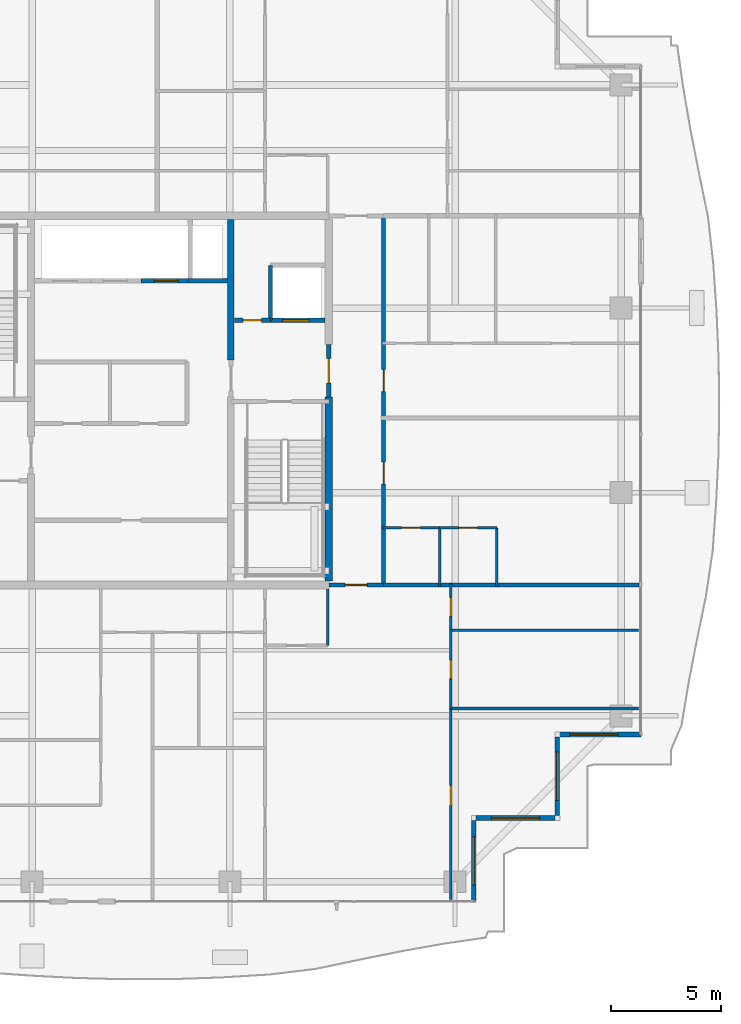
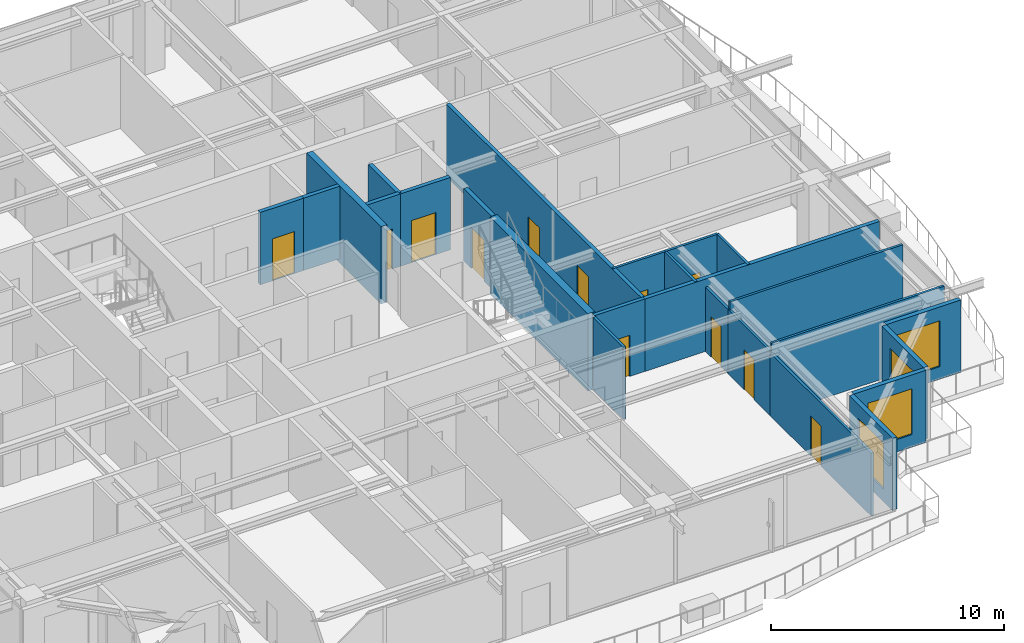
# One storey, part 33 of 42: 25 walls, 12 doors, 4 windows, 16 openings.
"""IFC4 building model written with IfcOpenShell, lengths in metres."""

from ifc_helpers import new_model, si_unit, direction, frame, frame_2d, origin, place, context, subcontext, project, spatial, rectangle, extrude, source, transform, mapped, material, layer, layer_set, type_object, element, fill, save


model = new_model("IFC4")

# Units and contexts
model_context = context("Model", 3, precision=1e-05, world=origin(), true_north=direction((0.0, 1.0)))
body_context = subcontext(model_context, "Body", "Model", "MODEL_VIEW")
ifc_project = project(units=[si_unit("LENGTHUNIT", "METRE"), si_unit("AREAUNIT", "SQUARE_METRE"), si_unit("VOLUMEUNIT", "CUBIC_METRE"), si_unit("PLANEANGLEUNIT", "RADIAN"), si_unit("MASSUNIT", "GRAM", prefix="KILO")], contexts=[model_context])

# Site, building, storey
site_placement = place(None, origin())
site = spatial("IfcSite", under=ifc_project, at=site_placement, CompositionType="ELEMENT")
building_placement = place(site_placement, origin())
building = spatial("IfcBuilding", under=site, at=building_placement, Name="Serunith Strait Residences", CompositionType="ELEMENT")
storey_placement = place(building_placement, frame((0.0, 0.0, 325.85009765625)))
storey = spatial("IfcBuildingStorey", under=building, at=storey_placement, Name="L81", CompositionType="ELEMENT", Elevation=325.85009765625)

# Wall, opening, window
ifc_material_1 = material(Name="Pale-Champagne Aluminium Insulated Panel", Category="aluminium")
ifc_layer_1 = layer(ifc_material_1, 0.219970703125, Name="Pale-Champagne Aluminium Insulated Panel")
ifc_layer_set_1 = layer_set([ifc_layer_1], Name="Pale-Champagne Aluminium Insulated Panel")
wall_type_1 = type_object("IfcWallType", Name="EW-ALUM-220", PredefinedType="ELEMENTEDWALL", material=ifc_layer_set_1)
wall_1_placement = place(storey_placement, frame((48.0, 2.39990234375, 0.0), z_axis=(0.0, 0.0, 1.0), x_axis=(0.0, 1.0, 0.0)))
wall_1 = element("IfcWall", 1, at=wall_1_placement, inside=storey, type_object=wall_type_1, Name="L81 Girih Serrated Corner Wall 02", PredefinedType="ELEMENTEDWALL", context=body_context, shape_type="SweptSolid", body=[
    extrude(rectangle(XDim=3.690185546875, YDim=0.219970703125, at=frame_2d((1.84521484375, 0.0))), origin(), (0.0, 0.0, 1.0), 3.77490234375),
])
opening_1_placement = place(wall_1_placement, frame((0.7451171875, 0.0, 0.64990234375)))
opening_1 = element("IfcOpeningElement", 2, at=opening_1_placement, cuts=wall_1, Name="Opening W-06", PredefinedType="OPENING", context=body_context, shape_type="SweptSolid", body=[
    extrude(rectangle(XDim=2.199951171875, YDim=2.39990234375, at=frame_2d((1.10009765625, 1.199951171875))), frame((0.0, 0.1201171875, 0.0), z_axis=(0.0, -1.0, 0.0), x_axis=(1.0, 0.0, 0.0)), (0.0, 0.0, 1.0), 0.239990234375),
])
ifc_material_2 = material(Name="Crown Penthouse Low-E Operable Window Glass", Category="glass")
window_type = type_object("IfcWindowType", Name="WIN-C6", PartitioningType="TRIPLE_PANEL_VERTICAL", PredefinedType="WINDOW", material=ifc_material_2)
shared_shape_1 = source(origin(), body_context, "Body", "SweptSolid", [
    extrude(rectangle(XDim=2.199951171875, YDim=2.39990234375, at=frame_2d((1.10009765625, 1.199951171875))), frame((0.0, 0.030029296875, 0.0), z_axis=(0.0, -1.0, 0.0), x_axis=(1.0, 0.0, 0.0)), (0.0, 0.0, 1.0), 0.06005859375),
])
window_1_placement = place(opening_1_placement, origin())
window_1 = element("IfcWindow", 3, at=window_1_placement, inside=storey, type_object=window_type, Name="L81 Corner Operable Fritted Window 02", OverallHeight=2.39990234375, OverallWidth=2.199951171875, PartitioningType="SINGLE_PANEL", PredefinedType="WINDOW", context=body_context, shape_type="MappedRepresentation", body=[
    mapped(shared_shape_1, transform((0.0, 0.0, 0.0), scale=1.0)),
])
fill(opening_1, window_1)

wall_2_placement = place(storey_placement, frame((48.110107421875, 6.199951171875, 0.0), z_axis=(0.0, 0.0, 1.0), x_axis=(1.0, 0.0, 0.0)))
wall_2 = element("IfcWall", 4, at=wall_2_placement, inside=storey, type_object=wall_type_1, Name="L81 Girih Serrated Corner Wall 03", PredefinedType="ELEMENTEDWALL", context=body_context, shape_type="SweptSolid", body=[
    extrude(rectangle(XDim=3.579833984375, YDim=0.219970703125, at=frame_2d((1.7900390625, 0.0))), origin(), (0.0, 0.0, 1.0), 3.77490234375),
])
opening_2_placement = place(wall_2_placement, frame((0.68994140625, 0.0, 0.64990234375)))
opening_2 = element("IfcOpeningElement", 5, at=opening_2_placement, cuts=wall_2, Name="Opening W-06", PredefinedType="OPENING", context=body_context, shape_type="SweptSolid", body=[
    extrude(rectangle(XDim=2.199951171875, YDim=2.39990234375, at=frame_2d((1.10009765625, 1.199951171875))), frame((0.0, 0.1201171875, 0.0), z_axis=(0.0, -1.0, 0.0), x_axis=(1.0, 0.0, 0.0)), (0.0, 0.0, 1.0), 0.239990234375),
])
window_2_placement = place(opening_2_placement, origin())
window_2 = element("IfcWindow", 6, at=window_2_placement, inside=storey, type_object=window_type, Name="L81 Corner Operable Fritted Window 03", OverallHeight=2.39990234375, OverallWidth=2.199951171875, PartitioningType="SINGLE_PANEL", PredefinedType="WINDOW", context=body_context, shape_type="MappedRepresentation", body=[
    mapped(shared_shape_1, transform((0.0, 0.0, 0.0), scale=1.0)),
])
fill(opening_2, window_2)

wall_3_placement = place(storey_placement, frame((51.800048828125, 6.31005859375, 0.0), z_axis=(0.0, 0.0, 1.0), x_axis=(0.0, 1.0, 0.0)))
wall_3 = element("IfcWall", 7, at=wall_3_placement, inside=storey, type_object=wall_type_1, Name="L81 Girih Serrated Corner Wall 04", PredefinedType="ELEMENTEDWALL", context=body_context, shape_type="SweptSolid", body=[
    extrude(rectangle(XDim=3.579833984375, YDim=0.219970703125, at=frame_2d((1.7900390625, 0.0))), origin(), (0.0, 0.0, 1.0), 3.77490234375),
])
opening_3_placement = place(wall_3_placement, frame((0.68994140625, 0.0, 0.64990234375)))
opening_3 = element("IfcOpeningElement", 8, at=opening_3_placement, cuts=wall_3, Name="Opening W-06", PredefinedType="OPENING", context=body_context, shape_type="SweptSolid", body=[
    extrude(rectangle(XDim=2.199951171875, YDim=2.39990234375, at=frame_2d((1.10009765625, 1.199951171875))), frame((0.0, 0.1201171875, 0.0), z_axis=(0.0, -1.0, 0.0), x_axis=(1.0, 0.0, 0.0)), (0.0, 0.0, 1.0), 0.239990234375),
])
window_3_placement = place(opening_3_placement, origin())
window_3 = element("IfcWindow", 9, at=window_3_placement, inside=storey, type_object=window_type, Name="L81 Corner Operable Fritted Window 04", OverallHeight=2.39990234375, OverallWidth=2.199951171875, PartitioningType="SINGLE_PANEL", PredefinedType="WINDOW", context=body_context, shape_type="MappedRepresentation", body=[
    mapped(shared_shape_1, transform((0.0, 0.0, 0.0), scale=1.0)),
])
fill(opening_3, window_3)

wall_4_placement = place(storey_placement, frame((51.909912109375, 10.0, 0.0), z_axis=(0.0, 0.0, 1.0), x_axis=(1.0, 0.0, 0.0)))
wall_4 = element("IfcWall", 10, at=wall_4_placement, inside=storey, type_object=wall_type_1, Name="L81 Girih Serrated Corner Wall 05", PredefinedType="ELEMENTEDWALL", context=body_context, shape_type="SweptSolid", body=[
    extrude(rectangle(XDim=3.690185546875, YDim=0.219970703125, at=frame_2d((1.84521484375, 0.0))), origin(), (0.0, 0.0, 1.0), 3.77490234375),
])
opening_4_placement = place(wall_4_placement, frame((0.447021484375, 0.0, 0.64990234375)))
opening_4 = element("IfcOpeningElement", 11, at=opening_4_placement, cuts=wall_4, Name="Opening W-06", PredefinedType="OPENING", context=body_context, shape_type="SweptSolid", body=[
    extrude(rectangle(XDim=2.199951171875, YDim=2.39990234375, at=frame_2d((1.10009765625, 1.199951171875))), frame((0.0, 0.1201171875, 0.0), z_axis=(0.0, -1.0, 0.0), x_axis=(1.0, 0.0, 0.0)), (0.0, 0.0, 1.0), 0.239990234375),
])
window_4_placement = place(opening_4_placement, origin())
window_4 = element("IfcWindow", 12, at=window_4_placement, inside=storey, type_object=window_type, Name="L81 Corner Operable Fritted Window 05", OverallHeight=2.39990234375, OverallWidth=2.199951171875, PartitioningType="SINGLE_PANEL", PredefinedType="WINDOW", context=body_context, shape_type="MappedRepresentation", body=[
    mapped(shared_shape_1, transform((0.0, 0.0, 0.0), scale=1.0)),
])
fill(opening_4, window_4)

# Wall, opening, door
ifc_material_3 = material(Name="Fire-rated acoustic gypsum partition")
ifc_layer_2 = layer(ifc_material_3, 0.179931640625, Name="Fire-rated acoustic gypsum partition")
ifc_layer_set_2 = layer_set([ifc_layer_2], Name="Fire-rated acoustic gypsum partition")
wall_type_2 = type_object("IfcWallType", Name="IW-CORR-180", PredefinedType="PARTITIONING", material=ifc_layer_set_2)
wall_5_placement = place(storey_placement, frame((41.402099609375, 16.800048828125, 0.0), z_axis=(0.0, 0.0, 1.0), x_axis=(1.0, 0.0, 0.0)))
wall_5 = element("IfcWall", 13, at=wall_5_placement, inside=storey, type_object=wall_type_2, Name="L81 Partition Wall 029", PredefinedType="PARTITIONING", context=body_context, shape_type="SweptSolid", body=[
    extrude(rectangle(XDim=2.495849609375, YDim=0.179931640625, at=frame_2d((1.248046875, 0.0))), origin(), (0.0, 0.0, 1.0), 3.789794921875),
])
opening_5_placement = place(wall_5_placement, frame((0.748046875, 0.0, 0.0)))
opening_5 = element("IfcOpeningElement", 14, at=opening_5_placement, cuts=wall_5, Name="Opening D-APT1000", PredefinedType="OPENING", context=body_context, shape_type="SweptSolid", body=[
    extrude(rectangle(XDim=1.0, YDim=2.14990234375, at=frame_2d((0.5, 1.074951171875))), frame((0.0, 0.10009765625, 0.0), z_axis=(0.0, -1.0, 0.0), x_axis=(1.0, 0.0, 0.0)), (0.0, 0.0, 1.0), 0.199951171875),
])
ifc_material_4 = material(Name="Solid timber engineered fire door", Category="wood")
door_type_1 = type_object("IfcDoorType", Name="ID-APT-1000", OperationType="NOTDEFINED", PredefinedType="DOOR", material=ifc_material_4)
shared_shape_2 = source(origin(), body_context, "Body", "SweptSolid", [
    extrude(rectangle(XDim=1.0, YDim=2.14990234375, at=frame_2d((0.5, 1.074951171875))), frame((0.0, 0.02490234375, 0.0), z_axis=(0.0, -1.0, 0.0), x_axis=(1.0, 0.0, 0.0)), (0.0, 0.0, 1.0), 0.050048828125),
])
door_1_placement = place(opening_5_placement, origin())
door_1 = element("IfcDoor", 15, at=door_1_placement, inside=storey, type_object=door_type_1, Name="L81 Unit 02 Entrance Door", OperationType="SINGLE_SWING_LEFT", OverallHeight=2.14990234375, OverallWidth=1.0, PredefinedType="DOOR", context=body_context, shape_type="MappedRepresentation", body=[
    mapped(shared_shape_2, transform((0.0, 0.0, 0.0), scale=1.0)),
])
fill(opening_5, door_1)

# Wall, openings, doors
wall_6_placement = place(storey_placement, frame((43.89990234375, 16.800048828125, 0.0), z_axis=(0.0, 0.0, 1.0), x_axis=(0.0, 1.0, 0.0)))
wall_6 = element("IfcWall", 16, at=wall_6_placement, inside=storey, type_object=wall_type_2, Name="L81 Partition Wall 031", PredefinedType="PARTITIONING", context=body_context, shape_type="SweptSolid", body=[
    extrude(rectangle(XDim=16.800048828125, YDim=0.179931640625, at=frame_2d((8.39990234375, 0.0))), origin(), (0.0, 0.0, 1.0), 3.789794921875),
])
opening_6_placement = place(wall_6_placement, frame((4.597900390625, 0.0, 0.0)))
opening_6 = element("IfcOpeningElement", 17, at=opening_6_placement, cuts=wall_6, Name="Opening D-APT1000", PredefinedType="OPENING", context=body_context, shape_type="SweptSolid", body=[
    extrude(rectangle(XDim=1.0, YDim=2.14990234375, at=frame_2d((0.5, 1.074951171875))), frame((0.0, 0.10009765625, 0.0), z_axis=(0.0, -1.0, 0.0), x_axis=(1.0, 0.0, 0.0)), (0.0, 0.0, 1.0), 0.199951171875),
])
opening_7_placement = place(wall_6_placement, frame((8.801025390625, 0.0, 0.0)))
opening_7 = element("IfcOpeningElement", 18, at=opening_7_placement, cuts=wall_6, Name="Opening D-APT1000", PredefinedType="OPENING", context=body_context, shape_type="SweptSolid", body=[
    extrude(rectangle(XDim=1.0, YDim=2.14990234375, at=frame_2d((0.5, 1.074951171875))), frame((0.0, 0.10009765625, 0.0), z_axis=(0.0, -1.0, 0.0), x_axis=(1.0, 0.0, 0.0)), (0.0, 0.0, 1.0), 0.199951171875),
])
door_2_placement = place(opening_6_placement, origin())
door_2 = element("IfcDoor", 19, at=door_2_placement, inside=storey, type_object=door_type_1, Name="L81 Unit 07 Entrance Door", OperationType="SINGLE_SWING_LEFT", OverallHeight=2.14990234375, OverallWidth=1.0, PredefinedType="DOOR", context=body_context, shape_type="MappedRepresentation", body=[
    mapped(shared_shape_2, transform((0.0, 0.0, 0.0), scale=1.0)),
])
fill(opening_6, door_2)
door_3_placement = place(opening_7_placement, origin())
door_3 = element("IfcDoor", 20, at=door_3_placement, inside=storey, type_object=door_type_1, Name="L81 Unit 08 Entrance Door", OperationType="SINGLE_SWING_RIGHT", OverallHeight=2.14990234375, OverallWidth=1.0, PredefinedType="DOOR", context=body_context, shape_type="MappedRepresentation", body=[
    mapped(shared_shape_2, transform((0.0, 0.0, 0.0), scale=1.0)),
])
fill(opening_7, door_3)

# Wall
ifc_material_5 = material(Name="Lightweight steel-stud gypsum partition", Category="steel")
ifc_layer_3 = layer(ifc_material_5, 0.1201171875, Name="Lightweight steel-stud gypsum partition")
ifc_layer_set_3 = layer_set([ifc_layer_3], Name="Lightweight steel-stud gypsum partition")
wall_type_3 = type_object("IfcWallType", Name="IW-PART-120", PredefinedType="PARTITIONING", material=ifc_layer_set_3)
wall_7_placement = place(storey_placement, frame((41.35009765625, 14.050048828125, 0.0), z_axis=(0.0, 0.0, 1.0), x_axis=(0.0, 1.0, 0.0)))
element("IfcWall", 21, at=wall_7_placement, inside=storey, type_object=wall_type_3, Name="L81 Partition Wall 041", PredefinedType="PARTITIONING", context=body_context, shape_type="SweptSolid", body=[
    extrude(rectangle(XDim=2.574951171875, YDim=0.1201171875, at=frame_2d((1.28759765625, 0.0))), origin(), (0.0, 0.0, 1.0), 3.789794921875),
])

# Wall, opening, door
wall_8_placement = place(storey_placement, frame((46.949951171875, 2.4951171875, 0.0), z_axis=(0.0, 0.0, 1.0), x_axis=(0.0, 1.0, 0.0)))
wall_8 = element("IfcWall", 22, at=wall_8_placement, inside=storey, type_object=wall_type_3, Name="L81 Partition Wall 056", PredefinedType="PARTITIONING", context=body_context, shape_type="SweptSolid", body=[
    extrude(rectangle(XDim=8.68798828125, YDim=0.1201171875, at=frame_2d((4.343994140625, 0.0))), origin(), (0.0, 0.0, 1.0), 3.2919921875),
])
opening_8_placement = place(wall_8_placement, frame((4.282958984375, 0.0, 0.0)))
opening_8 = element("IfcOpeningElement", 23, at=opening_8_placement, cuts=wall_8, Name="Opening D-RM900", PredefinedType="OPENING", context=body_context, shape_type="SweptSolid", body=[
    extrude(rectangle(XDim=0.89990234375, YDim=2.10009765625, at=frame_2d((0.449951171875, 1.050048828125))), frame((0.0, 0.070068359375, 0.0), z_axis=(0.0, -1.0, 0.0), x_axis=(1.0, 0.0, 0.0)), (0.0, 0.0, 1.0), 0.14013671875),
])
ifc_material_6 = material(Name="Engineered timber flush bedroom door", Category="wood")
door_type_2 = type_object("IfcDoorType", Name="ID-ROOM-900", OperationType="NOTDEFINED", PredefinedType="DOOR", material=ifc_material_6)
shared_shape_3 = source(origin(), body_context, "Body", "SweptSolid", [
    extrude(rectangle(XDim=0.89990234375, YDim=2.10009765625, at=frame_2d((0.449951171875, 1.050048828125))), frame((0.0, 0.02490234375, 0.0), z_axis=(0.0, -1.0, 0.0), x_axis=(1.0, 0.0, 0.0)), (0.0, 0.0, 1.0), 0.050048828125),
])
door_4_placement = place(opening_8_placement, origin())
door_4 = element("IfcDoor", 24, at=door_4_placement, inside=storey, type_object=door_type_2, Name="L81 Bedroom 3 8102 Door", OperationType="SINGLE_SWING_LEFT", OverallHeight=2.10009765625, OverallWidth=0.89990234375, PredefinedType="DOOR", context=body_context, shape_type="MappedRepresentation", body=[
    mapped(shared_shape_3, transform((0.0, 0.0, 0.0), scale=1.0)),
])
fill(opening_8, door_4)

# Walls
for number, where, z_axis, x_axis, name in (
    (25, (46.949951171875, 11.18310546875, 0.0), (0.0, 0.0, 1.0), (1.0, 0.0, 0.0), "L81 Partition Wall 057"),
    (26, (46.949951171875, 14.75, 0.0), (0.0, 0.0, 1.0), (1.0, 0.0, 0.0), "L81 Partition Wall 058"),
):
    element("IfcWall", number, at=place(storey_placement, frame(where, z_axis=z_axis, x_axis=x_axis)), inside=storey, type_object=wall_type_3, Name=name, PredefinedType="PARTITIONING", context=body_context, shape_type="SweptSolid", body=[
        extrude(rectangle(XDim=8.554931640625, YDim=0.1201171875, at=frame_2d((4.27734375, 0.0))), origin(), (0.0, 0.0, 1.0), 3.789794921875),
    ])

# Wall, opening, door
wall_9_placement = place(storey_placement, frame((46.949951171875, 11.18505859375, 0.0), z_axis=(0.0, 0.0, 1.0), x_axis=(0.0, 1.0, 0.0)))
wall_9 = element("IfcWall", 27, at=wall_9_placement, inside=storey, type_object=wall_type_3, Name="L81 Partition Wall 059", PredefinedType="PARTITIONING", context=body_context, shape_type="SweptSolid", body=[
    extrude(rectangle(XDim=3.56494140625, YDim=0.1201171875, at=frame_2d((1.782470703125, 0.0))), origin(), (0.0, 0.0, 1.0), 3.371826171875),
])
opening_9_placement = place(wall_9_placement, frame((1.35693359375, 0.0, 0.0)))
opening_9 = element("IfcOpeningElement", 28, at=opening_9_placement, cuts=wall_9, Name="Opening D-RM850", PredefinedType="OPENING", context=body_context, shape_type="SweptSolid", body=[
    extrude(rectangle(XDim=0.85009765625, YDim=2.10009765625, at=frame_2d((0.425048828125, 1.050048828125))), frame((0.0, 0.070068359375, 0.0), z_axis=(0.0, -1.0, 0.0), x_axis=(1.0, 0.0, 0.0)), (0.0, 0.0, 1.0), 0.14013671875),
])
ifc_material_7 = material(Name="Engineered timber flush study and kitchen door", Category="wood")
door_type_3 = type_object("IfcDoorType", Name="ID-ROOM-850", OperationType="NOTDEFINED", PredefinedType="DOOR", material=ifc_material_7)
shared_shape_4 = source(origin(), body_context, "Body", "SweptSolid", [
    extrude(rectangle(XDim=0.85009765625, YDim=2.10009765625, at=frame_2d((0.425048828125, 1.050048828125))), frame((0.0, 0.02490234375, 0.0), z_axis=(0.0, -1.0, 0.0), x_axis=(1.0, 0.0, 0.0)), (0.0, 0.0, 1.0), 0.050048828125),
])
door_5_placement = place(opening_9_placement, origin())
door_5 = element("IfcDoor", 29, at=door_5_placement, inside=storey, type_object=door_type_3, Name="L81 Walk-in Wardrobe 8102 Door", OperationType="SINGLE_SWING_RIGHT", OverallHeight=2.10009765625, OverallWidth=0.85009765625, PredefinedType="DOOR", context=body_context, shape_type="MappedRepresentation", body=[
    mapped(shared_shape_4, transform((0.0, 0.0, 0.0), scale=1.0)),
])
fill(opening_9, door_5)

wall_10_placement = place(storey_placement, frame((46.949951171875, 14.751953125, 0.0), z_axis=(0.0, 0.0, 1.0), x_axis=(0.0, 1.0, 0.0)))
wall_10 = element("IfcWall", 30, at=wall_10_placement, inside=storey, type_object=wall_type_3, Name="L81 Partition Wall 060", PredefinedType="PARTITIONING", context=body_context, shape_type="SweptSolid", body=[
    extrude(rectangle(XDim=2.108154296875, YDim=0.1201171875, at=frame_2d((1.05419921875, 0.0))), origin(), (0.0, 0.0, 1.0), 3.371826171875),
])
opening_10_placement = place(wall_10_placement, frame((0.62890625, 0.0, 0.0)))
opening_10 = element("IfcOpeningElement", 31, at=opening_10_placement, cuts=wall_10, Name="Opening D-BTH850", PredefinedType="OPENING", context=body_context, shape_type="SweptSolid", body=[
    extrude(rectangle(XDim=0.85009765625, YDim=2.10009765625, at=frame_2d((0.425048828125, 1.050048828125))), frame((0.0, 0.070068359375, 0.0), z_axis=(0.0, -1.0, 0.0), x_axis=(1.0, 0.0, 0.0)), (0.0, 0.0, 1.0), 0.14013671875),
])
ifc_material_8 = material(Name="Moisture-resistant timber bathroom door", Category="wood")
door_type_4 = type_object("IfcDoorType", Name="ID-BATH-850", OperationType="NOTDEFINED", PredefinedType="DOOR", material=ifc_material_8)
door_6_placement = place(opening_10_placement, origin())
door_6 = element("IfcDoor", 32, at=door_6_placement, inside=storey, type_object=door_type_4, Name="L81 Bathroom 8102 Door", OperationType="SINGLE_SWING_LEFT", OverallHeight=2.10009765625, OverallWidth=0.85009765625, PredefinedType="DOOR", context=body_context, shape_type="MappedRepresentation", body=[
    mapped(shared_shape_4, transform((0.0, 0.0, 0.0), scale=1.0)),
])
fill(opening_10, door_6)

wall_11_placement = place(storey_placement, frame((49.050048828125, 19.39990234375, 0.0), z_axis=(0.0, 0.0, 1.0), x_axis=(-1.0, 0.0, 0.0)))
wall_11 = element("IfcWall", 33, at=wall_11_placement, inside=storey, type_object=wall_type_3, Name="L81 Partition Wall 093", PredefinedType="PARTITIONING", context=body_context, shape_type="SweptSolid", body=[
    extrude(rectangle(XDim=2.60009765625, YDim=0.1201171875, at=frame_2d((1.300048828125, 0.0))), origin(), (0.0, 0.0, 1.0), 3.789794921875),
])
opening_11_placement = place(wall_11_placement, frame((0.875, 0.0, 0.0)))
opening_11 = element("IfcOpeningElement", 34, at=opening_11_placement, cuts=wall_11, Name="Opening D-RM850", PredefinedType="OPENING", context=body_context, shape_type="SweptSolid", body=[
    extrude(rectangle(XDim=0.85009765625, YDim=2.10009765625, at=frame_2d((0.425048828125, 1.050048828125))), frame((0.0, 0.070068359375, 0.0), z_axis=(0.0, -1.0, 0.0), x_axis=(1.0, 0.0, 0.0)), (0.0, 0.0, 1.0), 0.14013671875),
])
door_7_placement = place(opening_11_placement, origin())
door_7 = element("IfcDoor", 35, at=door_7_placement, inside=storey, type_object=door_type_3, Name="L81 Kitchen 8107 Door", OperationType="SINGLE_SWING_RIGHT", OverallHeight=2.10009765625, OverallWidth=0.85009765625, PredefinedType="DOOR", context=body_context, shape_type="MappedRepresentation", body=[
    mapped(shared_shape_4, transform((0.0, 0.0, 0.0), scale=1.0)),
])
fill(opening_11, door_7)

wall_12_placement = place(storey_placement, frame((46.447998046875, 19.39990234375, 0.0), z_axis=(0.0, 0.0, 1.0), x_axis=(-1.0, 0.0, 0.0)))
wall_12 = element("IfcWall", 36, at=wall_12_placement, inside=storey, type_object=wall_type_3, Name="L81 Partition Wall 094", PredefinedType="PARTITIONING", context=body_context, shape_type="SweptSolid", body=[
    extrude(rectangle(XDim=2.60791015625, YDim=0.1201171875, at=frame_2d((1.303955078125, 0.0))), origin(), (0.0, 0.0, 1.0), 3.789794921875),
])
opening_12_placement = place(wall_12_placement, frame((0.87890625, 0.0, 0.0)))
opening_12 = element("IfcOpeningElement", 37, at=opening_12_placement, cuts=wall_12, Name="Opening D-BTH850", PredefinedType="OPENING", context=body_context, shape_type="SweptSolid", body=[
    extrude(rectangle(XDim=0.85009765625, YDim=2.10009765625, at=frame_2d((0.425048828125, 1.050048828125))), frame((0.0, 0.070068359375, 0.0), z_axis=(0.0, -1.0, 0.0), x_axis=(1.0, 0.0, 0.0)), (0.0, 0.0, 1.0), 0.14013671875),
])
door_8_placement = place(opening_12_placement, origin())
door_8 = element("IfcDoor", 38, at=door_8_placement, inside=storey, type_object=door_type_4, Name="L81 Bathroom 8107 Door", OperationType="SINGLE_SWING_LEFT", OverallHeight=2.10009765625, OverallWidth=0.85009765625, PredefinedType="DOOR", context=body_context, shape_type="MappedRepresentation", body=[
    mapped(shared_shape_4, transform((0.0, 0.0, 0.0), scale=1.0)),
])
fill(opening_12, door_8)

# Walls
for number, where, z_axis, x_axis, name in (
    (39, (46.449951171875, 16.739990234375, 0.0), (0.0, 0.0, 1.0), (0.0, 1.0, 0.0), "L81 Partition Wall 095"),
    (40, (49.050048828125, 16.739990234375, 0.0), (0.0, 0.0, 1.0), (0.0, 1.0, 0.0), "L81 Partition Wall 096"),
):
    element("IfcWall", number, at=place(storey_placement, frame(where, z_axis=z_axis, x_axis=x_axis)), inside=storey, type_object=wall_type_3, Name=name, PredefinedType="PARTITIONING", context=body_context, shape_type="SweptSolid", body=[
        extrude(rectangle(XDim=2.659912109375, YDim=0.1201171875, at=frame_2d((1.330078125, 0.0))), origin(), (0.0, 0.0, 1.0), 3.789794921875),
    ])
ifc_material_9 = material(Name="Twin-stud acoustic gypsum board partition")
ifc_layer_4 = layer(ifc_material_9, 0.199951171875, Name="Twin-stud acoustic gypsum board partition")
ifc_layer_set_4 = layer_set([ifc_layer_4], Name="Twin-stud acoustic gypsum board partition")
wall_type_4 = type_object("IfcWallType", Name="IW-PARTY-200", PredefinedType="PARTITIONING", material=ifc_layer_set_4)
wall_13_placement = place(storey_placement, frame((43.89990234375, 16.800048828125, 0.0), z_axis=(0.0, 0.0, 1.0), x_axis=(1.0, 0.0, 0.0)))
element("IfcWall", 41, at=wall_13_placement, inside=storey, type_object=wall_type_4, Name="L81 Partition Wall 023", PredefinedType="PARTITIONING", context=body_context, shape_type="SweptSolid", body=[
    extrude(rectangle(XDim=11.6181640625, YDim=0.199951171875, at=frame_2d((5.80908203125, 0.0))), origin(), (0.0, 0.0, 1.0), 3.789794921875),
])

# Wall, opening, door
ifc_material_10 = material(Name="Autoclaved aerated concrete blockwork", Category="masonry")
ifc_layer_5 = layer(ifc_material_10, 0.199951171875, Name="Autoclaved aerated concrete blockwork")
ifc_layer_set_5 = layer_set([ifc_layer_5], Name="Autoclaved aerated concrete blockwork")
wall_type_5 = type_object("IfcWallType", Name="IW-SHAFT-200", PredefinedType="STANDARD", material=ifc_layer_set_5)
wall_14_placement = place(storey_placement, frame((38.75, 28.85009765625, 0.0), z_axis=(0.0, 0.0, 1.0), x_axis=(1.0, 0.0, 0.0)))
wall_14 = element("IfcWall", 42, at=wall_14_placement, inside=storey, type_object=wall_type_5, Name="L81 FL-2 South Shaft Wall", PredefinedType="STANDARD", context=body_context, shape_type="SweptSolid", body=[
    extrude(rectangle(XDim=2.47509765625, YDim=0.199951171875, at=frame_2d((1.237548828125, 0.0))), origin(), (0.0, 0.0, 1.0), 3.789794921875),
])
opening_13_placement = place(wall_14_placement, frame((0.550048828125, 0.0, 0.0)))
opening_13 = element("IfcOpeningElement", 43, at=opening_13_placement, cuts=wall_14, Name="Opening LD-FF1200", PredefinedType="OPENING", context=body_context, shape_type="SweptSolid", body=[
    extrude(rectangle(XDim=1.199951171875, YDim=2.199951171875, at=frame_2d((0.60009765625, 1.10009765625))), frame((0.0, 0.10986328125, 0.0), z_axis=(0.0, -1.0, 0.0), x_axis=(1.0, 0.0, 0.0)), (0.0, 0.0, 1.0), 0.219970703125),
])
ifc_material_11 = material(Name="Brushed stainless steel landing door", Category="steel")
door_type_5 = type_object("IfcDoorType", Name="LD-FF-1200", OperationType="DOUBLE_DOOR_SLIDING", PredefinedType="DOOR", material=ifc_material_11)
shared_shape_5 = source(origin(), body_context, "Body", "SweptSolid", [
    extrude(rectangle(XDim=1.199951171875, YDim=2.199951171875, at=frame_2d((0.60009765625, 1.10009765625))), frame((0.0, 0.02490234375, 0.0), z_axis=(0.0, -1.0, 0.0), x_axis=(1.0, 0.0, 0.0)), (0.0, 0.0, 1.0), 0.050048828125),
])
door_9_placement = place(opening_13_placement, origin())
door_9 = element("IfcDoor", 44, at=door_9_placement, inside=storey, type_object=door_type_5, Name="L81 FL-2 Landing Door", OperationType="DOUBLE_DOOR_SLIDING", OverallHeight=2.199951171875, OverallWidth=1.199951171875, PredefinedType="DOOR", context=body_context, shape_type="MappedRepresentation", body=[
    mapped(shared_shape_5, transform((0.0, 0.0, 0.0), scale=1.0)),
])
fill(opening_13, door_9)

wall_15_placement = place(storey_placement, frame((32.85009765625, 30.64990234375, 0.0), z_axis=(0.0, 0.0, 1.0), x_axis=(1.0, 0.0, 0.0)))
wall_15 = element("IfcWall", 45, at=wall_15_placement, inside=storey, type_object=wall_type_5, Name="L81 PL-9 South Shaft Wall", PredefinedType="STANDARD", context=body_context, shape_type="SweptSolid", body=[
    extrude(rectangle(XDim=2.14990234375, YDim=0.199951171875, at=frame_2d((1.074951171875, 0.0))), origin(), (0.0, 0.0, 1.0), 3.789794921875),
])
opening_14_placement = place(wall_15_placement, frame((0.60009765625, 0.0, 0.0)))
opening_14 = element("IfcOpeningElement", 46, at=opening_14_placement, cuts=wall_15, Name="Opening LD-1100", PredefinedType="OPENING", context=body_context, shape_type="SweptSolid", body=[
    extrude(rectangle(XDim=1.10009765625, YDim=2.199951171875, at=frame_2d((0.550048828125, 1.10009765625))), frame((0.0, 0.10986328125, 0.0), z_axis=(0.0, -1.0, 0.0), x_axis=(1.0, 0.0, 0.0)), (0.0, 0.0, 1.0), 0.219970703125),
])
ifc_material_12 = material(Name="Pale-champagne stainless landing door")
door_type_6 = type_object("IfcDoorType", Name="LD-LIFT-1100", OperationType="DOUBLE_DOOR_SLIDING", PredefinedType="DOOR", material=ifc_material_12)
shared_shape_6 = source(origin(), body_context, "Body", "SweptSolid", [
    extrude(rectangle(XDim=1.10009765625, YDim=2.199951171875, at=frame_2d((0.550048828125, 1.10009765625))), frame((0.0, 0.02490234375, 0.0), z_axis=(0.0, -1.0, 0.0), x_axis=(1.0, 0.0, 0.0)), (0.0, 0.0, 1.0), 0.050048828125),
])
door_10_placement = place(opening_14_placement, origin())
door_10 = element("IfcDoor", 47, at=door_10_placement, inside=storey, type_object=door_type_6, Name="L81 PL-9 Landing Door", OperationType="DOUBLE_DOOR_SLIDING", OverallHeight=2.199951171875, OverallWidth=1.10009765625, PredefinedType="DOOR", context=body_context, shape_type="MappedRepresentation", body=[
    mapped(shared_shape_6, transform((0.0, 0.0, 0.0), scale=1.0)),
])
fill(opening_14, door_10)

# Walls
wall_16_placement = place(storey_placement, frame((35.0, 30.64990234375, 0.0), z_axis=(0.0, 0.0, 1.0), x_axis=(1.0, 0.0, 0.0)))
element("IfcWall", 48, at=wall_16_placement, inside=storey, type_object=wall_type_5, Name="L81 SL-1 South Shaft Wall", PredefinedType="STANDARD", context=body_context, shape_type="SweptSolid", body=[
    extrude(rectangle(XDim=1.800048828125, YDim=0.199951171875, at=frame_2d((0.89990234375, 0.0))), origin(), (0.0, 0.0, 1.0), 3.789794921875),
])
wall_17_placement = place(storey_placement, frame((38.75, 28.85009765625, 0.0), z_axis=(0.0, 0.0, 1.0), x_axis=(0.0, 1.0, 0.0)))
element("IfcWall", 49, at=wall_17_placement, inside=storey, type_object=wall_type_5, Name="L81 Partition Wall 004", PredefinedType="STANDARD", context=body_context, shape_type="SweptSolid", body=[
    extrude(rectangle(XDim=2.5, YDim=0.199951171875, at=frame_2d((1.25, 0.0))), origin(), (0.0, 0.0, 1.0), 3.789794921875),
])

# Wall, opening, door
wall_18_placement = place(storey_placement, frame((37.10009765625, 28.85009765625, 0.0), z_axis=(0.0, 0.0, 1.0), x_axis=(1.0, 0.0, 0.0)))
wall_18 = element("IfcWall", 50, at=wall_18_placement, inside=storey, type_object=wall_type_5, Name="L81 Partition Wall 006", PredefinedType="STANDARD", context=body_context, shape_type="SweptSolid", body=[
    extrude(rectangle(XDim=1.64794921875, YDim=0.199951171875, at=frame_2d((0.823974609375, 0.0))), origin(), (0.0, 0.0, 1.0), 3.789794921875),
])
opening_15_placement = place(wall_18_placement, frame((0.39892578125, 0.0, 0.0)))
opening_15 = element("IfcOpeningElement", 51, at=opening_15_placement, cuts=wall_18, Name="Opening FD-850", PredefinedType="OPENING", context=body_context, shape_type="SweptSolid", body=[
    extrude(rectangle(XDim=0.85009765625, YDim=2.10009765625, at=frame_2d((0.425048828125, 1.050048828125))), frame((0.0, 0.10986328125, 0.0), z_axis=(0.0, -1.0, 0.0), x_axis=(1.0, 0.0, 0.0)), (0.0, 0.0, 1.0), 0.219970703125),
])
ifc_material_13 = material(Name="Powder-coated steel service closet door", Category="steel")
door_type_7 = type_object("IfcDoorType", Name="FD-BOH-850", OperationType="NOTDEFINED", PredefinedType="DOOR", material=ifc_material_13)
door_11_placement = place(opening_15_placement, origin())
door_11 = element("IfcDoor", 52, at=door_11_placement, inside=storey, type_object=door_type_7, Name="L81 North-East Core Service Door", OperationType="SINGLE_SWING_RIGHT", OverallHeight=2.10009765625, OverallWidth=0.85009765625, PredefinedType="DOOR", context=body_context, shape_type="MappedRepresentation", body=[
    mapped(shared_shape_4, transform((0.0, 0.0, 0.0), scale=1.0)),
])
fill(opening_15, door_11)

wall_19_placement = place(storey_placement, frame((41.39990234375, 25.35205078125, 0.0), z_axis=(0.0, 0.0, 1.0), x_axis=(0.0, 1.0, 0.0)))
wall_19 = element("IfcWall", 53, at=wall_19_placement, inside=storey, type_object=wall_type_5, Name="L81 Partition Wall 008", PredefinedType="STANDARD", context=body_context, shape_type="SweptSolid", body=[
    extrude(rectangle(XDim=2.39599609375, YDim=0.199951171875, at=frame_2d((1.197998046875, 0.0))), origin(), (0.0, 0.0, 1.0), 3.789794921875),
])
opening_16_placement = place(wall_19_placement, frame((0.64794921875, 0.0, 0.0)))
opening_16 = element("IfcOpeningElement", 54, at=opening_16_placement, cuts=wall_19, Name="Opening FD-FFL", PredefinedType="OPENING", context=body_context, shape_type="SweptSolid", body=[
    extrude(rectangle(XDim=1.10009765625, YDim=2.14990234375, at=frame_2d((0.550048828125, 1.074951171875))), frame((0.0, 0.10986328125, 0.0), z_axis=(0.0, -1.0, 0.0), x_axis=(1.0, 0.0, 0.0)), (0.0, 0.0, 1.0), 0.219970703125),
])
ifc_material_14 = material(Name="Glazed steel smoke-lobby fire door", Category="steel")
door_type_8 = type_object("IfcDoorType", Name="FD-FFL-1100", OperationType="NOTDEFINED", PredefinedType="DOOR", material=ifc_material_14)
shared_shape_7 = source(origin(), body_context, "Body", "SweptSolid", [
    extrude(rectangle(XDim=1.10009765625, YDim=2.14990234375, at=frame_2d((0.550048828125, 1.074951171875))), frame((0.0, 0.02490234375, 0.0), z_axis=(0.0, -1.0, 0.0), x_axis=(1.0, 0.0, 0.0)), (0.0, 0.0, 1.0), 0.050048828125),
])
door_12_placement = place(opening_16_placement, origin())
door_12 = element("IfcDoor", 55, at=door_12_placement, inside=storey, type_object=door_type_8, Name="L81 FFL-2 Corridor Fire Door", OperationType="SINGLE_SWING_RIGHT", OverallHeight=2.14990234375, OverallWidth=1.10009765625, PredefinedType="DOOR", context=body_context, shape_type="MappedRepresentation", body=[
    mapped(shared_shape_7, transform((0.0, 0.0, 0.0), scale=1.0)),
])
fill(opening_16, door_12)

# Walls
ifc_material_15 = material(Name="Concrete C60/75", Category="concrete")
ifc_layer_6 = layer(ifc_material_15, 0.300048828125, Name="Concrete C60/75")
ifc_layer_set_6 = layer_set([ifc_layer_6], Name="Concrete C60/75")
wall_type_6 = type_object("IfcWallType", Name="SW-300-C60", PredefinedType="SHEAR", material=ifc_layer_set_6)
wall_20_placement = place(storey_placement, frame((36.949951171875, 27.050048828125, -0.260009765625), z_axis=(0.0, 0.0, 1.0), x_axis=(0.0, 1.0, 0.0)))
element("IfcWall", 56, at=wall_20_placement, inside=storey, type_object=wall_type_6, Name="L81 Core Internal East Web North Pier", PredefinedType="SHEAR", context=body_context, shape_type="SweptSolid", body=[
    extrude(rectangle(XDim=6.375, YDim=0.300048828125, at=frame_2d((3.1875, 0.0))), origin(), (0.0, 0.0, 1.0), 4.0478515625),
])
ifc_layer_7 = layer(ifc_material_15, 0.35009765625, Name="Concrete C60/75")
ifc_layer_set_7 = layer_set([ifc_layer_7], Name="Concrete C60/75")
wall_type_7 = type_object("IfcWallType", Name="SW-350-C60", PredefinedType="SHEAR", material=ifc_layer_set_7)
wall_21_placement = place(storey_placement, frame((41.39990234375, 16.97509765625, -0.260009765625), z_axis=(0.0, 0.0, 1.0), x_axis=(0.0, 1.0, 0.0)))
element("IfcWall", 57, at=wall_21_placement, inside=storey, type_object=wall_type_7, Name="L81 Core East Shear Wall South Pier", PredefinedType="SHEAR", context=body_context, shape_type="SweptSolid", body=[
    extrude(rectangle(XDim=8.375, YDim=0.35009765625, at=frame_2d((4.1875, 0.0))), origin(), (0.0, 0.0, 1.0), 4.0478515625),
])

save(model, "model.ifc")
